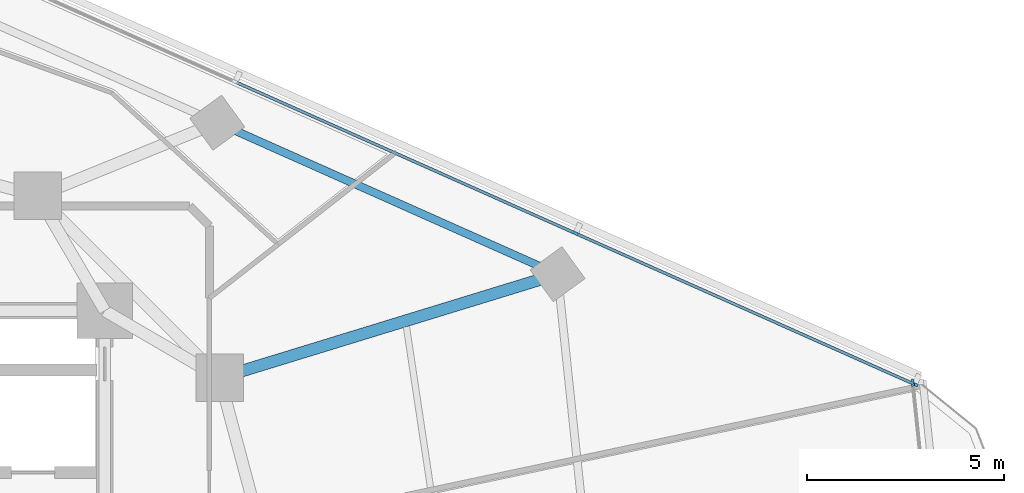
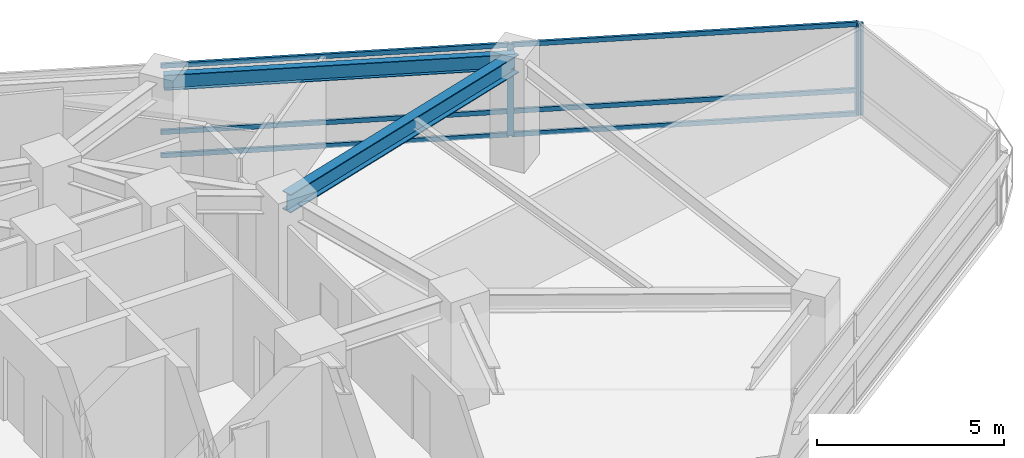
# One storey, part 6 of 14: 9 members, 2 beams, 2 elements without a shape of their own.
"""IFC4 building model written with IfcOpenShell, lengths in metres."""

from ifc_helpers import new_model, si_unit, direction, frame, origin, origin_2d, place, context, subcontext, project, spatial, rectangle, i_section, extrude, material, layer, layer_set, material_profile, profile_set, type_object, element, aggregate, save


model = new_model("IFC4")

# Units and contexts
model_context = context("Model", 3, precision=1e-05, world=origin(), true_north=direction((0.0, 1.0)))
body_context = subcontext(model_context, "Body", "Model", "MODEL_VIEW")
ifc_project = project(units=[si_unit("LENGTHUNIT", "METRE"), si_unit("AREAUNIT", "SQUARE_METRE"), si_unit("VOLUMEUNIT", "CUBIC_METRE"), si_unit("PLANEANGLEUNIT", "RADIAN"), si_unit("MASSUNIT", "GRAM", prefix="KILO")], contexts=[model_context])

# Site, building, storey
site_placement = place(None, origin())
site = spatial("IfcSite", under=ifc_project, at=site_placement, CompositionType="ELEMENT")
building_placement = place(site_placement, origin())
building = spatial("IfcBuilding", under=site, at=building_placement, Name="Terralouvre Media Tower", CompositionType="ELEMENT")
storey_placement = place(building_placement, frame((0.0, 0.0, 165.699951171875)))
storey = spatial("IfcBuildingStorey", under=building, at=storey_placement, Name="L42", CompositionType="ELEMENT", Elevation=165.699951171875)

# Curtain wall, members
ifc_material_1 = material(Name="Low-iron laminated double glazing with solar-control coating", Category="glass")
ifc_layer_1 = layer(ifc_material_1, 0.1650390625, Name="Production Studio Tower Curtain Wall CW-03")
ifc_layer_set_1 = layer_set([ifc_layer_1], Name="Low-iron laminated double glazing with solar-control coating")
curtain_wall_type_1 = type_object("IfcCurtainWallType", Name="Production Studio Tower Curtain Wall CW-03", PredefinedType="NOTDEFINED", material=ifc_layer_set_1)
curtain_wall_1_placement = place(storey_placement, origin())
curtain_wall_1 = element("IfcCurtainWall", 1, at=curtain_wall_1_placement, inside=storey, type_object=curtain_wall_type_1, Name="L42 Facade Curtain Wall F1", PredefinedType="NOTDEFINED")
ifc_material_2 = material(Name="Anodised extruded aluminium 6063-T6", Category="aluminium")
ifc_material_profile_1 = material_profile(ifc_material_2, rectangle(XDim=0.074951171875, YDim=0.14990234375, at=origin_2d()), Name="ALU 75x150")
ifc_profile_set_1 = profile_set([ifc_material_profile_1], Name="Anodised extruded aluminium 6063-T6")
member_type_1 = type_object("IfcMemberType", Name="Curtain-Wall Horizontal Transom TR-150", PredefinedType="USERDEFINED", material=ifc_profile_set_1)
member_1_placement = place(storey_placement, frame((28.4892578125, 6.1494140625, 0.03759765625), z_axis=(-0.913539345669, 0.406750370515, 0.0), x_axis=(-0.406750370515, -0.913539345669, 0.0)))
member_1 = element("IfcMember", 2, at=member_1_placement, type_object=member_type_1, Name="CW-03 transom 1.1", ObjectType="TRANSOM", PredefinedType="USERDEFINED", context=body_context, shape_type="SweptSolid", body=[
    extrude(rectangle(XDim=0.074951171875, YDim=0.14990234375, at=origin_2d()), origin(), (0.0, 0.0, 1.0), 9.327392578125),
])
member_2_placement = place(storey_placement, frame((28.4892578125, 6.1494140625, 0.800048828125), z_axis=(-0.913539345669, 0.406750370515, 0.0), x_axis=(-0.406750370515, -0.913539345669, 0.0)))
member_2 = element("IfcMember", 3, at=member_2_placement, type_object=member_type_1, Name="CW-03 transom 1.2", ObjectType="TRANSOM", PredefinedType="USERDEFINED", context=body_context, shape_type="SweptSolid", body=[
    extrude(rectangle(XDim=0.074951171875, YDim=0.14990234375, at=origin_2d()), origin(), (0.0, 0.0, 1.0), 9.327392578125),
])
member_3_placement = place(storey_placement, frame((28.4892578125, 6.1494140625, 2.962646484375), z_axis=(-0.913539345669, 0.406750370515, 0.0), x_axis=(-0.406750370515, -0.913539345669, 0.0)))
member_3 = element("IfcMember", 4, at=member_3_placement, type_object=member_type_1, Name="CW-03 transom 1.3", ObjectType="TRANSOM", PredefinedType="USERDEFINED", context=body_context, shape_type="SweptSolid", body=[
    extrude(rectangle(XDim=0.074951171875, YDim=0.14990234375, at=origin_2d()), origin(), (0.0, 0.0, 1.0), 9.327392578125),
])
member_4_placement = place(storey_placement, frame((19.899658203125, 9.973876953125, 0.03759765625), z_axis=(-0.913546899195, 0.40673340528, 0.0), x_axis=(-0.40673340528, -0.913546899195, 0.0)))
member_4 = element("IfcMember", 5, at=member_4_placement, type_object=member_type_1, Name="CW-03 transom 2.1", ObjectType="TRANSOM", PredefinedType="USERDEFINED", context=body_context, shape_type="SweptSolid", body=[
    extrude(rectangle(XDim=0.074951171875, YDim=0.14990234375, at=origin_2d()), origin(), (0.0, 0.0, 1.0), 9.364990234375),
])
member_5_placement = place(storey_placement, frame((19.899658203125, 9.973876953125, 0.800048828125), z_axis=(-0.913546899195, 0.40673340528, 0.0), x_axis=(-0.40673340528, -0.913546899195, 0.0)))
member_5 = element("IfcMember", 6, at=member_5_placement, type_object=member_type_1, Name="CW-03 transom 2.2", ObjectType="TRANSOM", PredefinedType="USERDEFINED", context=body_context, shape_type="SweptSolid", body=[
    extrude(rectangle(XDim=0.074951171875, YDim=0.14990234375, at=origin_2d()), origin(), (0.0, 0.0, 1.0), 9.364990234375),
])
member_6_placement = place(storey_placement, frame((19.899658203125, 9.973876953125, 2.962646484375), z_axis=(-0.913546899195, 0.40673340528, 0.0), x_axis=(-0.40673340528, -0.913546899195, 0.0)))
member_6 = element("IfcMember", 7, at=member_6_placement, type_object=member_type_1, Name="CW-03 transom 2.3", ObjectType="TRANSOM", PredefinedType="USERDEFINED", context=body_context, shape_type="SweptSolid", body=[
    extrude(rectangle(XDim=0.074951171875, YDim=0.14990234375, at=origin_2d()), origin(), (0.0, 0.0, 1.0), 9.364990234375),
])
ifc_material_3 = material(Name="Anodised extruded aluminium 6063-T6", Category="aluminium")
ifc_material_profile_2 = material_profile(ifc_material_3, rectangle(XDim=0.074951171875, YDim=0.179931640625, at=origin_2d()), Name="ALU 75x180")
ifc_profile_set_2 = profile_set([ifc_material_profile_2], Name="Anodised extruded aluminium 6063-T6")
member_type_2 = type_object("IfcMemberType", Name="Curtain-Wall Vertical Mullion ML-180", PredefinedType="MULLION", material=ifc_profile_set_2)
member_7_placement = place(storey_placement, frame((28.5234375, 6.13427734375, 0.0), z_axis=(0.0, 0.0, 1.0), x_axis=(-0.406736616337, -0.913545469547, 0.0)))
member_7 = element("IfcMember", 8, at=member_7_placement, type_object=member_type_2, Name="CW-03 mullion 1", PredefinedType="MULLION", context=body_context, shape_type="SweptSolid", body=[
    extrude(rectangle(XDim=0.074951171875, YDim=0.179931640625, at=origin_2d()), origin(), (0.0, 0.0, 1.0), 3.0),
])
member_8_placement = place(storey_placement, frame((19.933837890625, 9.95849609375, 0.0), z_axis=(0.0, 0.0, 1.0), x_axis=(-0.406736616337, -0.913545469547, 0.0)))
member_8 = element("IfcMember", 9, at=member_8_placement, type_object=member_type_2, Name="CW-03 mullion 2", PredefinedType="MULLION", context=body_context, shape_type="SweptSolid", body=[
    extrude(rectangle(XDim=0.074951171875, YDim=0.179931640625, at=origin_2d()), origin(), (0.0, 0.0, 1.0), 3.0),
])
aggregate(curtain_wall_1, [member_7, member_8, member_1, member_2, member_3, member_4, member_5, member_6])

# Curtain wall, member
ifc_material_4 = material(Name="Low-iron laminated double glazing with solar-control coating", Category="glass")
ifc_layer_2 = layer(ifc_material_4, 0.1650390625, Name="Rounded Wind-Corner Curved Glazing CW-04")
ifc_layer_set_2 = layer_set([ifc_layer_2], Name="Low-iron laminated double glazing with solar-control coating")
curtain_wall_type_2 = type_object("IfcCurtainWallType", Name="Rounded Wind-Corner Curved Glazing CW-04", PredefinedType="NOTDEFINED", material=ifc_layer_set_2)
curtain_wall_2_placement = place(storey_placement, origin())
curtain_wall_2 = element("IfcCurtainWall", 10, at=curtain_wall_2_placement, inside=storey, type_object=curtain_wall_type_2, Name="L42 Rounded Wind-Corner Curtain Wall C1", PredefinedType="NOTDEFINED")
member_9_placement = place(storey_placement, frame((28.47119140625, 6.1767578125, 0.0), z_axis=(0.0, 0.0, 1.0), x_axis=(-0.994521891172, -0.10452850319, 0.0)))
member_9 = element("IfcMember", 11, at=member_9_placement, type_object=member_type_2, Name="CW-04 mullion 2", PredefinedType="MULLION", context=body_context, shape_type="SweptSolid", body=[
    extrude(rectangle(XDim=0.074951171875, YDim=0.179931640625, at=origin_2d()), origin(), (0.0, 0.0, 1.0), 3.0),
])
aggregate(curtain_wall_2, [member_9])

# Beams
ifc_material_5 = material(Name="Structural steel S355J2", Category="steel")
ifc_material_profile_3 = material_profile(ifc_material_5, i_section(OverallWidth=0.199951171875, OverallDepth=0.5, WebThickness=0.01025390625, FlangeThickness=0.01611328125, at=origin_2d()), Name="IPE 500")
ifc_profile_set_3 = profile_set([ifc_material_profile_3], Name="Structural steel S355J2")
beam_type_1 = type_object("IfcBeamType", Name="Perimeter Spandrel Beam SPB-500 (IPE 500)", PredefinedType="SPANDREL", material=ifc_profile_set_3)
beam_1_placement = place(storey_placement, frame((19.474365234375, 8.92626953125, 3.25), z_axis=(-0.913547937667, 0.406731072803, 0.0), x_axis=(-0.406731072803, -0.913547937667, 0.0)))
element("IfcBeam", 12, at=beam_1_placement, inside=storey, type_object=beam_type_1, Name="L42 Framing Beam BM-L42-PR07", PredefinedType="SPANDREL", context=body_context, shape_type="SweptSolid", body=[
    extrude(i_section(OverallWidth=0.199951171875, OverallDepth=0.5, WebThickness=0.01025390625, FlangeThickness=0.01611328125, at=origin_2d()), origin(), (0.0, 0.0, 1.0), 9.440185546875),
])
ifc_material_6 = material(Name="Structural steel S460M", Category="steel")
ifc_material_profile_4 = material_profile(ifc_material_6, i_section(OverallWidth=0.300048828125, OverallDepth=0.60009765625, WebThickness=0.015380859375, FlangeThickness=0.030029296875, at=origin_2d()), Name="HEB 600")
ifc_profile_set_4 = profile_set([ifc_material_profile_4], Name="Structural steel S460M")
beam_type_2 = type_object("IfcBeamType", Name="Primary Floor Girder B-HEB600 (HEB 600)", PredefinedType="BEAM", material=ifc_profile_set_4)
beam_2_placement = place(storey_placement, frame((10.911865234375, 6.300048828125, 3.199951171875), z_axis=(0.956042083717, 0.293229490606, 0.0), x_axis=(-0.293229490606, 0.956042083717, 0.0)))
element("IfcBeam", 13, at=beam_2_placement, inside=storey, type_object=beam_type_2, Name="L42 Framing Beam BM-L42-RD07", PredefinedType="BEAM", context=body_context, shape_type="SweptSolid", body=[
    extrude(i_section(OverallWidth=0.300048828125, OverallDepth=0.60009765625, WebThickness=0.015380859375, FlangeThickness=0.030029296875, at=origin_2d()), origin(), (0.0, 0.0, 1.0), 8.956298828125),
])

save(model, "model.ifc")
